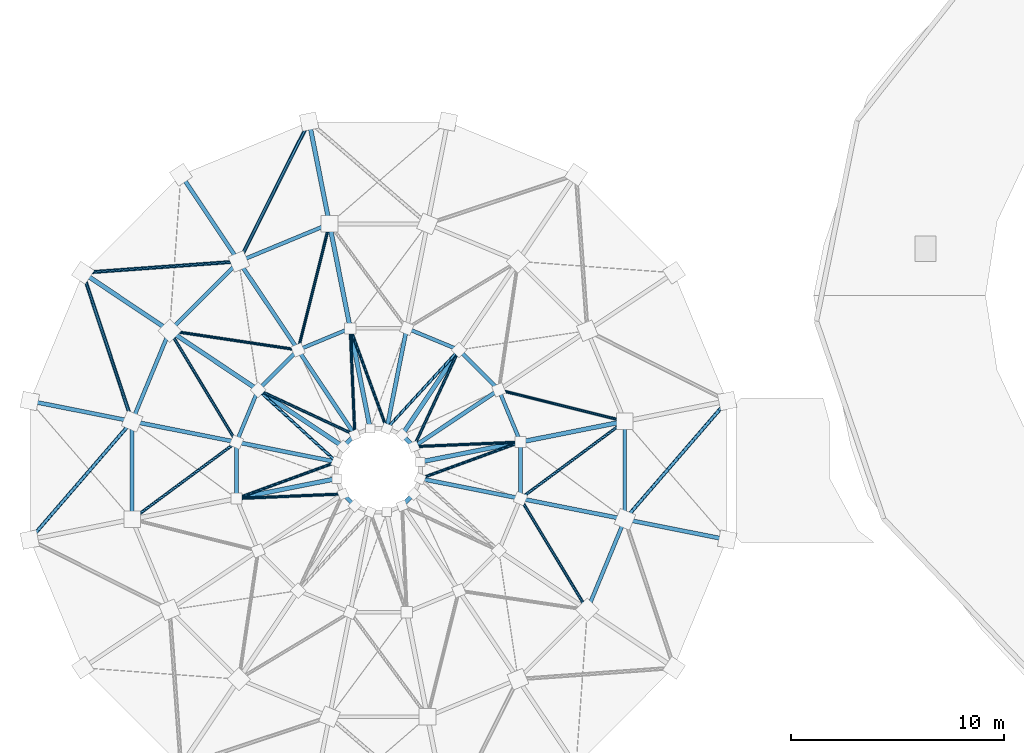
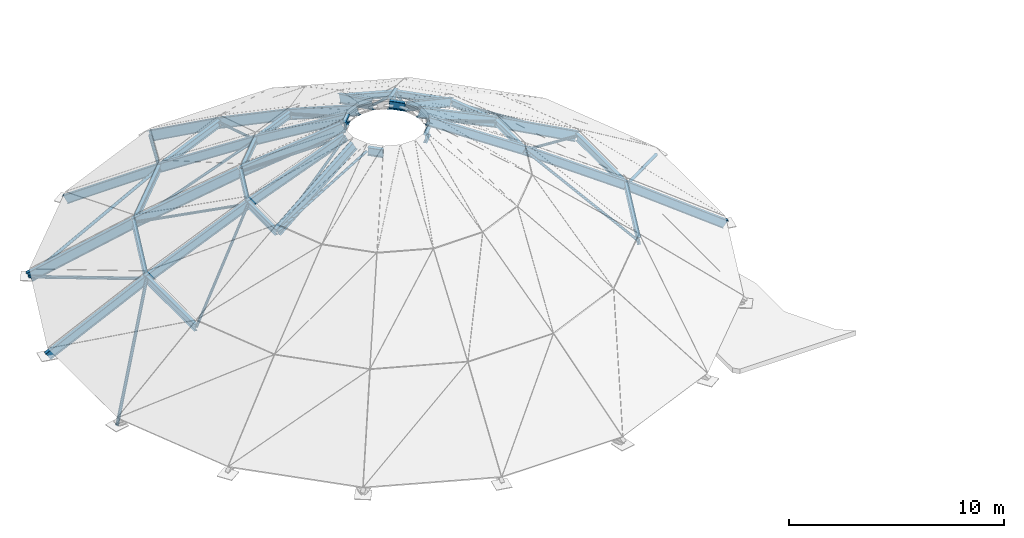
# One storey, part 2 of 11: 43 members, 18 beams.
"""IFC4 building model written with IfcOpenShell, lengths in metres."""

from ifc_helpers import new_model, si_unit, direction, frame, origin, origin_2d, place, context, subcontext, project, spatial, hollow_circle, i_section, extrude, material, material_profile, profile_set, type_object, element, save


model = new_model("IFC4")

# Units and contexts
model_context = context("Model", 3, precision=1e-05, world=origin(), true_north=direction((0.0, 1.0)))
body_context = subcontext(model_context, "Body", "Model", "MODEL_VIEW")
ifc_project = project(units=[si_unit("LENGTHUNIT", "METRE"), si_unit("AREAUNIT", "SQUARE_METRE"), si_unit("VOLUMEUNIT", "CUBIC_METRE"), si_unit("PLANEANGLEUNIT", "RADIAN"), si_unit("MASSUNIT", "GRAM", prefix="KILO"), si_unit("THERMODYNAMICTEMPERATUREUNIT", "KELVIN"), si_unit("POWERUNIT", "WATT")], contexts=[model_context])

# Site, building, storey
site_placement = place(None, origin())
site = spatial("IfcSite", under=ifc_project, at=site_placement, CompositionType="ELEMENT")
building_placement = place(site_placement, origin())
building = spatial("IfcBuilding", under=site, at=building_placement, Name="Darbajah Civic Hall", CompositionType="ELEMENT")
storey_placement = place(building_placement, frame((0.0, 0.0, 30.60009765625)))
storey = spatial("IfcBuildingStorey", under=building, at=storey_placement, Name="ROOF", CompositionType="ELEMENT", Elevation=30.60009765625)

# Members
ifc_material = material(Name="Steel S355JR", Category="steel")
ifc_material_profile_1 = material_profile(ifc_material, hollow_circle(Radius=0.06982421875, WallThickness=0.00634765625, at=origin_2d()), Name="CHS 139.7x6.3")
ifc_profile_set_1 = profile_set([ifc_material_profile_1], Name="Steel S355JR")
member_type_1 = type_object("IfcMemberType", Name="CHS 139.7x6.3", PredefinedType="BRACE", material=ifc_profile_set_1)
member_1_placement = place(storey_placement, frame((28.347412109375, 83.90869140625, -9.2744140625), z_axis=(-0.863420551372, 0.215235406452, 0.456266009338), x_axis=(-0.241880087393, -0.970306149276, 0.0)))
element("IfcMember", 1, at=member_1_placement, inside=storey, type_object=member_type_1, Name="Council Chamber dome diagonal brace bay 1", PredefinedType="BRACE", context=body_context, shape_type="SweptSolid", body=[
    extrude(hollow_circle(Radius=0.06982421875, WallThickness=0.00634765625, at=origin_2d()), origin(), (0.0, 0.0, 1.0), 6.795654296875),
])
member_2_placement = place(storey_placement, frame((14.491455078125, 93.1474609375, -9.2744140625), z_axis=(-0.21526299086, -0.863423017747, 0.456248328426), x_axis=(0.970299035655, -0.241908622021, 0.0)))
element("IfcMember", 2, at=member_2_placement, inside=storey, type_object=member_type_1, Name="Council Chamber dome diagonal brace bay 3", PredefinedType="BRACE", context=body_context, shape_type="SweptSolid", body=[
    extrude(hollow_circle(Radius=0.06982421875, WallThickness=0.00634765625, at=origin_2d()), origin(), (0.0, 0.0, 1.0), 6.7958984375),
])
member_3_placement = place(storey_placement, frame((7.01513671875, 88.15185546875, -9.2744140625), z_axis=(0.880061833458, -0.131563783235, 0.456269810782), x_axis=(0.147850809579, 0.989009675436, 0.0)))
element("IfcMember", 3, at=member_3_placement, inside=storey, type_object=member_type_1, Name="Council Chamber dome diagonal brace bay 3", PredefinedType="BRACE", context=body_context, shape_type="SweptSolid", body=[
    extrude(hollow_circle(Radius=0.06982421875, WallThickness=0.00634765625, at=origin_2d()), origin(), (0.0, 0.0, 1.0), 6.79541015625),
])
member_4_placement = place(storey_placement, frame((7.00244140625, 88.1328125, -9.2744140625), z_axis=(0.458308126803, -0.76274514699, 0.456260344156), x_axis=(0.857165015736, 0.515041877714, 0.0)))
element("IfcMember", 4, at=member_4_placement, inside=storey, type_object=member_type_1, Name="Council Chamber dome diagonal brace bay 4", PredefinedType="BRACE", context=body_context, shape_type="SweptSolid", body=[
    extrude(hollow_circle(Radius=0.06982421875, WallThickness=0.00634765625, at=origin_2d()), origin(), (0.0, 0.0, 1.0), 6.795654296875),
])
member_5_placement = place(storey_placement, frame((5.248291015625, 79.313720703125, -9.2744140625), z_axis=(0.715299359287, 0.529307155217, 0.456268300499), x_axis=(-0.594832570063, 0.803849621255, 0.0)))
element("IfcMember", 5, at=member_5_placement, inside=storey, type_object=member_type_1, Name="Council Chamber dome diagonal brace bay 4", PredefinedType="BRACE", context=body_context, shape_type="SweptSolid", body=[
    extrude(hollow_circle(Radius=0.06982421875, WallThickness=0.00634765625, at=origin_2d()), origin(), (0.0, 0.0, 1.0), 6.79541015625),
])
for number, where, z_axis, x_axis, name in (
    (6, (26.59765625, 75.067138671875, -9.2744140625), (-0.458336505986, 0.76273258807, 0.456252831637), (-0.857147191766, -0.515071540321, 0.0), "Council Chamber dome diagonal brace bay 8"),
    (7, (28.351806640625, 83.88623046875, -9.2744140625), (-0.71531690327, -0.529293553105, 0.456256575337), (0.594813265371, -0.80386390598, 0.0), "Council Chamber dome diagonal brace bay 8"),
):
    element("IfcMember", number, at=place(storey_placement, frame(where, z_axis=z_axis, x_axis=x_axis)), inside=storey, type_object=member_type_1, Name=name, PredefinedType="BRACE", context=body_context, shape_type="SweptSolid", body=[
        extrude(hollow_circle(Radius=0.06982421875, WallThickness=0.00634765625, at=origin_2d()), origin(), (0.0, 0.0, 1.0), 6.795654296875),
    ])
for number, where, z_axis, x_axis, name in (
    (8, (23.443115234375, 82.925537109375, -6.1455078125), (-0.875120183389, -0.03769429995, 0.48243528517), (0.043033382137, -0.999073634935, 0.0), "Council Chamber dome diagonal brace bay 1"),
    (9, (20.56689453125, 87.230224609375, -6.1455078125), (-0.369687375159, -0.79410331764, 0.482422186016), (0.906573941199, -0.422047022427, 0.0), "Council Chamber dome diagonal brace bay 1"),
):
    element("IfcMember", number, at=place(storey_placement, frame(where, z_axis=z_axis, x_axis=x_axis)), inside=storey, type_object=member_type_1, Name=name, PredefinedType="BRACE", context=body_context, shape_type="SweptSolid", body=[
        extrude(hollow_circle(Radius=0.06982421875, WallThickness=0.00634765625, at=origin_2d()), origin(), (0.0, 0.0, 1.0), 5.660888671875),
    ])
member_6_placement = place(storey_placement, frame((20.56005859375, 87.234619140625, -6.1455078125), z_axis=(-0.592167618552, -0.645432513593, 0.482446247715), x_axis=(0.736857707845, -0.676047866937, 0.0)))
element("IfcMember", 10, at=member_6_placement, inside=storey, type_object=member_type_1, Name="Council Chamber dome diagonal brace bay 2", PredefinedType="BRACE", context=body_context, shape_type="SweptSolid", body=[
    extrude(hollow_circle(Radius=0.06982421875, WallThickness=0.00634765625, at=origin_2d()), origin(), (0.0, 0.0, 1.0), 5.66064453125),
])
member_7_placement = place(storey_placement, frame((15.482421875, 88.24462890625, -6.1455078125), z_axis=(0.300085304818, -0.822927235016, 0.482430902515), x_axis=(0.939485403193, 0.342588933254, 0.0)))
element("IfcMember", 11, at=member_7_placement, inside=storey, type_object=member_type_1, Name="Council Chamber dome diagonal brace bay 2", PredefinedType="BRACE", context=body_context, shape_type="SweptSolid", body=[
    extrude(hollow_circle(Radius=0.06982421875, WallThickness=0.00634765625, at=origin_2d()), origin(), (0.0, 0.0, 1.0), 5.660888671875),
])
for number, where, z_axis, x_axis, name in (
    (12, (15.474609375, 88.242919921875, -6.1455078125), (0.037652653741, -0.87511150561, 0.482454278056), (0.999075659634, 0.042986350461, 0.0), "Council Chamber dome diagonal brace bay 3"),
    (13, (11.169921875, 85.36669921875, -6.1455078125), (0.794087385593, -0.369700036352, 0.482438708193), (0.422065861522, 0.906565170596, 0.0), "Council Chamber dome diagonal brace bay 3"),
):
    element("IfcMember", number, at=place(storey_placement, frame(where, z_axis=z_axis, x_axis=x_axis)), inside=storey, type_object=member_type_1, Name=name, PredefinedType="BRACE", context=body_context, shape_type="SweptSolid", body=[
        extrude(hollow_circle(Radius=0.06982421875, WallThickness=0.00634765625, at=origin_2d()), origin(), (0.0, 0.0, 1.0), 5.66064453125),
    ])
member_8_placement = place(storey_placement, frame((11.165283203125, 85.360107421875, -6.1455078125), z_axis=(0.645457675003, -0.592151134424, 0.482432817893), x_axis=(0.676023339122, 0.736880210728, 0.0)))
element("IfcMember", 14, at=member_8_placement, inside=storey, type_object=member_type_1, Name="Council Chamber dome diagonal brace bay 4", PredefinedType="BRACE", context=body_context, shape_type="SweptSolid", body=[
    extrude(hollow_circle(Radius=0.06982421875, WallThickness=0.00634765625, at=origin_2d()), origin(), (0.0, 0.0, 1.0), 5.660888671875),
])
member_9_placement = place(storey_placement, frame((10.155517578125, 80.282470703125, -6.1455078125), z_axis=(0.822913312923, 0.30009595552, 0.482448025071), x_axis=(-0.342604781128, 0.93947962402, 0.0)))
element("IfcMember", 15, at=member_9_placement, inside=storey, type_object=member_type_1, Name="Council Chamber dome diagonal brace bay 4", PredefinedType="BRACE", context=body_context, shape_type="SweptSolid", body=[
    extrude(hollow_circle(Radius=0.06982421875, WallThickness=0.00634765625, at=origin_2d()), origin(), (0.0, 0.0, 1.0), 5.66064453125),
])
member_10_placement = place(storey_placement, frame((10.156982421875, 80.2744140625, -6.1455078125), z_axis=(0.875120183389, 0.03769429995, 0.48243528517), x_axis=(-0.043033382137, 0.999073634935, 0.0)))
element("IfcMember", 16, at=member_10_placement, inside=storey, type_object=member_type_1, Name="Council Chamber dome diagonal brace bay 5", PredefinedType="BRACE", context=body_context, shape_type="SweptSolid", body=[
    extrude(hollow_circle(Radius=0.06982421875, WallThickness=0.00634765625, at=origin_2d()), origin(), (0.0, 0.0, 1.0), 5.660888671875),
])
member_11_placement = place(storey_placement, frame((23.444580078125, 82.91748046875, -6.1455078125), z_axis=(-0.822913312923, -0.30009595552, 0.482448025071), x_axis=(0.342604781128, -0.93947962402, 0.0)))
element("IfcMember", 17, at=member_11_placement, inside=storey, type_object=member_type_1, Name="Council Chamber dome diagonal brace bay 8", PredefinedType="BRACE", context=body_context, shape_type="SweptSolid", body=[
    extrude(hollow_circle(Radius=0.06982421875, WallThickness=0.00634765625, at=origin_2d()), origin(), (0.0, 0.0, 1.0), 5.66064453125),
])
ifc_material_profile_2 = material_profile(ifc_material, hollow_circle(Radius=0.084228515625, WallThickness=0.008056640625, at=origin_2d()), Name="CHS 168.3x8.0")
ifc_profile_set_2 = profile_set([ifc_material_profile_2], Name="Steel S355JR")
member_type_2 = type_object("IfcMemberType", Name="CHS 168.3x8.0", PredefinedType="BRACE", material=ifc_profile_set_2)
member_12_placement = place(storey_placement, frame((13.529541015625, 97.95556640625, -12.587890625), z_axis=(-0.409029295332, -0.814793923008, 0.410859950093), x_axis=(0.893709871439, -0.448645367403, 0.0)))
element("IfcMember", 18, at=member_12_placement, inside=storey, type_object=member_type_2, Name="Council Chamber dome diagonal brace bay 3", PredefinedType="BRACE", context=body_context, shape_type="SweptSolid", body=[
    extrude(hollow_circle(Radius=0.084228515625, WallThickness=0.008056640625, at=origin_2d()), origin(), (0.0, 0.0, 1.0), 8.001708984375),
])
member_13_placement = place(storey_placement, frame((2.94091796875, 90.880615234375, -12.587890625), z_axis=(0.909304806528, 0.066055259743, 0.41085456245), x_axis=(-0.072452774638, 0.997371844122, 0.0)))
element("IfcMember", 19, at=member_13_placement, inside=storey, type_object=member_type_2, Name="Council Chamber dome diagonal brace bay 3", PredefinedType="BRACE", context=body_context, shape_type="SweptSolid", body=[
    extrude(hollow_circle(Radius=0.084228515625, WallThickness=0.008056640625, at=origin_2d()), origin(), (0.0, 0.0, 1.0), 8.001953125),
])
for number, where, z_axis, x_axis, name in (
    (20, (2.92236328125, 90.8525390625, -12.587890625), (0.286894336634, -0.865381694135, 0.410860271946), (0.949197415217, 0.314681214797, 0.0), "Council Chamber dome diagonal brace bay 4"),
    (21, (0.43798828125, 78.362548828125, -12.587890625), (0.596225165949, 0.689712393239, 0.410867820719), (-0.756516654102, 0.653974427685, 0.0), "Council Chamber dome diagonal brace bay 4"),
    (22, (33.162109375, 84.83740234375, -12.587890625), (-0.596244830547, -0.689699846203, 0.410860346338), (0.75650009678, -0.65399358068, 0.0), "Council Chamber dome diagonal brace bay 8"),
):
    element("IfcMember", number, at=place(storey_placement, frame(where, z_axis=z_axis, x_axis=x_axis)), inside=storey, type_object=member_type_2, Name=name, PredefinedType="BRACE", context=body_context, shape_type="SweptSolid", body=[
        extrude(hollow_circle(Radius=0.084228515625, WallThickness=0.008056640625, at=origin_2d()), origin(), (0.0, 0.0, 1.0), 8.001708984375),
    ])
ifc_material_profile_3 = material_profile(ifc_material, i_section(OverallWidth=0.1904296875, OverallDepth=0.45703125, WebThickness=0.009033203125, FlangeThickness=0.014404296875, FilletRadius=0.01025390625, at=origin_2d()), Name="UB 457x191x74")
ifc_profile_set_3 = profile_set([ifc_material_profile_3], Name="Steel S355JR")
member_type_3 = type_object("IfcMemberType", Name="Roof Rafter UB 457x191x74", PredefinedType="RAFTER", material=ifc_profile_set_3)
member_14_placement = place(storey_placement, frame((22.439697265625, 85.368408203125, -6.150146484375), z_axis=(-0.720811935985, -0.481651598629, 0.498439455179), x_axis=(0.555586549876, -0.831458709496, 0.0)))
element("IfcMember", 23, at=member_14_placement, inside=storey, type_object=member_type_3, Name="Council Chamber dome meridian rib 2.3", PredefinedType="RAFTER", context=body_context, shape_type="SweptSolid", body=[
    extrude(i_section(OverallWidth=0.1904296875, OverallDepth=0.45703125, WebThickness=0.009033203125, FlangeThickness=0.014404296875, FilletRadius=0.01025390625, at=origin_2d()), origin(), (0.0, 0.0, 1.0), 5.4970703125),
])
member_15_placement = place(storey_placement, frame((18.123291015625, 88.252197265625, -6.150146484375), z_axis=(-0.169134056058, -0.850245072249, 0.49847466154), x_axis=(0.980783118211, -0.195101191775, 0.0)))
element("IfcMember", 24, at=member_15_placement, inside=storey, type_object=member_type_3, Name="Council Chamber dome meridian rib 4.3", PredefinedType="RAFTER", context=body_context, shape_type="SweptSolid", body=[
    extrude(i_section(OverallWidth=0.1904296875, OverallDepth=0.45703125, WebThickness=0.009033203125, FlangeThickness=0.014404296875, FilletRadius=0.01025390625, at=origin_2d()), origin(), (0.0, 0.0, 1.0), 5.496826171875),
])
member_16_placement = place(storey_placement, frame((7.53076171875, 95.472412109375, -12.5888671875), z_axis=(0.460313131635, -0.688911356526, 0.559922283619), x_axis=(0.831471128905, 0.555567963257, 0.0)))
element("IfcMember", 25, at=member_16_placement, inside=storey, type_object=member_type_3, Name="Council Chamber dome meridian rib 6.1", PredefinedType="RAFTER", context=body_context, shape_type="SweptSolid", body=[
    extrude(i_section(OverallWidth=0.1904296875, OverallDepth=0.45703125, WebThickness=0.009033203125, FlangeThickness=0.014404296875, FilletRadius=0.01025390625, at=origin_2d()), origin(), (0.0, 0.0, 1.0), 5.875),
])
member_17_placement = place(storey_placement, frame((10.253662109375, 91.397216796875, -9.277587890625), z_axis=(0.470992253234, -0.704883813729, 0.530382038285), x_axis=(0.831467461766, 0.555573451512, 0.0)))
element("IfcMember", 26, at=member_17_placement, inside=storey, type_object=member_type_3, Name="Council Chamber dome meridian rib 6.2", PredefinedType="RAFTER", context=body_context, shape_type="SweptSolid", body=[
    extrude(i_section(OverallWidth=0.1904296875, OverallDepth=0.45703125, WebThickness=0.009033203125, FlangeThickness=0.014404296875, FilletRadius=0.01025390625, at=origin_2d()), origin(), (0.0, 0.0, 1.0), 5.85791015625),
])
member_18_placement = place(storey_placement, frame((13.03173828125, 87.239501953125, -6.150146484375), z_axis=(0.481632907265, -0.720806017336, 0.498466075086), x_axis=(0.831466561998, 0.555574798096, 0.0)))
element("IfcMember", 27, at=member_18_placement, inside=storey, type_object=member_type_3, Name="Council Chamber dome meridian rib 6.3", PredefinedType="RAFTER", context=body_context, shape_type="SweptSolid", body=[
    extrude(i_section(OverallWidth=0.1904296875, OverallDepth=0.45703125, WebThickness=0.009033203125, FlangeThickness=0.014404296875, FilletRadius=0.01025390625, at=origin_2d()), origin(), (0.0, 0.0, 1.0), 5.496826171875),
])
member_19_placement = place(storey_placement, frame((0.436279296875, 84.85498046875, -12.5888671875), z_axis=(0.81262276958, -0.161651883082, 0.559922229472), x_axis=(0.195103283617, 0.980782702091, 0.0)))
element("IfcMember", 28, at=member_19_placement, inside=storey, type_object=member_type_3, Name="Council Chamber dome meridian rib 8.1", PredefinedType="RAFTER", context=body_context, shape_type="SweptSolid", body=[
    extrude(i_section(OverallWidth=0.1904296875, OverallDepth=0.45703125, WebThickness=0.009033203125, FlangeThickness=0.014404296875, FilletRadius=0.01025390625, at=origin_2d()), origin(), (0.0, 0.0, 1.0), 5.875),
])
member_20_placement = place(storey_placement, frame((5.243408203125, 83.898681640625, -9.277587890625), z_axis=(0.831467566941, -0.165376606798, 0.530388784807), x_axis=(0.195076052864, 0.980788118606, 0.0)))
element("IfcMember", 29, at=member_20_placement, inside=storey, type_object=member_type_3, Name="Council Chamber dome meridian rib 8.2", PredefinedType="RAFTER", context=body_context, shape_type="SweptSolid", body=[
    extrude(i_section(OverallWidth=0.1904296875, OverallDepth=0.45703125, WebThickness=0.009033203125, FlangeThickness=0.014404296875, FilletRadius=0.01025390625, at=origin_2d()), origin(), (0.0, 0.0, 1.0), 5.85791015625),
])
member_21_placement = place(storey_placement, frame((10.147705078125, 82.923095703125, -6.150146484375), z_axis=(0.850251458665, -0.169090910679, 0.498478405715), x_axis=(0.195051906696, 0.980792920903, 0.0)))
element("IfcMember", 30, at=member_21_placement, inside=storey, type_object=member_type_3, Name="Council Chamber dome meridian rib 8.3", PredefinedType="RAFTER", context=body_context, shape_type="SweptSolid", body=[
    extrude(i_section(OverallWidth=0.1904296875, OverallDepth=0.45703125, WebThickness=0.009033203125, FlangeThickness=0.014404296875, FilletRadius=0.01025390625, at=origin_2d()), origin(), (0.0, 0.0, 1.0), 5.496826171875),
])
member_22_placement = place(storey_placement, frame((33.163818359375, 78.344970703125, -12.5888671875), z_axis=(-0.81262276958, 0.161651883082, 0.559922229472), x_axis=(-0.195103283617, -0.980782702091, 0.0)))
element("IfcMember", 31, at=member_22_placement, inside=storey, type_object=member_type_3, Name="Council Chamber dome meridian rib 16.1", PredefinedType="RAFTER", context=body_context, shape_type="SweptSolid", body=[
    extrude(i_section(OverallWidth=0.1904296875, OverallDepth=0.45703125, WebThickness=0.009033203125, FlangeThickness=0.014404296875, FilletRadius=0.01025390625, at=origin_2d()), origin(), (0.0, 0.0, 1.0), 5.875),
])
member_23_placement = place(storey_placement, frame((28.356689453125, 79.30126953125, -9.277587890625), z_axis=(-0.831480430542, 0.165370876066, 0.530370405447), x_axis=(-0.195066647168, -0.980789989326, 0.0)))
element("IfcMember", 32, at=member_23_placement, inside=storey, type_object=member_type_3, Name="Council Chamber dome meridian rib 16.2", PredefinedType="RAFTER", context=body_context, shape_type="SweptSolid", body=[
    extrude(i_section(OverallWidth=0.1904296875, OverallDepth=0.45703125, WebThickness=0.009033203125, FlangeThickness=0.014404296875, FilletRadius=0.01025390625, at=origin_2d()), origin(), (0.0, 0.0, 1.0), 5.858154296875),
])
member_24_placement = place(storey_placement, frame((23.452392578125, 80.27685546875, -6.150146484375), z_axis=(-0.85026376436, 0.169084525226, 0.498459581457), x_axis=(-0.195042105627, -0.980794870007, 0.0)))
element("IfcMember", 33, at=member_24_placement, inside=storey, type_object=member_type_3, Name="Council Chamber dome meridian rib 16.3", PredefinedType="RAFTER", context=body_context, shape_type="SweptSolid", body=[
    extrude(i_section(OverallWidth=0.1904296875, OverallDepth=0.45703125, WebThickness=0.009033203125, FlangeThickness=0.014404296875, FilletRadius=0.01025390625, at=origin_2d()), origin(), (0.0, 0.0, 1.0), 5.496826171875),
])
ifc_material_profile_4 = material_profile(ifc_material, i_section(OverallWidth=0.209228515625, OverallDepth=0.533203125, WebThickness=0.010009765625, FlangeThickness=0.015625, FilletRadius=0.0126953125, at=origin_2d()), Name="UB 533x210x92")
ifc_profile_set_4 = profile_set([ifc_material_profile_4], Name="Steel S355JR")
member_type_4 = type_object("IfcMemberType", Name="Roof Rafter UB 533x210x92", PredefinedType="RAFTER", material=ifc_profile_set_4)
member_25_placement = place(storey_placement, frame((28.356689453125, 83.898681640625, -9.277587890625), z_axis=(-0.831480430542, -0.165370876066, 0.530370405447), x_axis=(0.195066647168, -0.980789989326, 0.0)))
element("IfcMember", 34, at=member_25_placement, inside=storey, type_object=member_type_4, Name="Council Chamber dome meridian rib 1.2", PredefinedType="RAFTER", context=body_context, shape_type="SweptSolid", body=[
    extrude(i_section(OverallWidth=0.209228515625, OverallDepth=0.533203125, WebThickness=0.010009765625, FlangeThickness=0.015625, FilletRadius=0.0126953125, at=origin_2d()), origin(), (0.0, 0.0, 1.0), 5.858154296875),
])
member_26_placement = place(storey_placement, frame((23.452392578125, 82.923095703125, -6.150146484375), z_axis=(-0.85026376436, -0.169084525226, 0.498459581457), x_axis=(0.195042105627, -0.980794870007, 0.0)))
element("IfcMember", 35, at=member_26_placement, inside=storey, type_object=member_type_4, Name="Council Chamber dome meridian rib 1.3", PredefinedType="RAFTER", context=body_context, shape_type="SweptSolid", body=[
    extrude(i_section(OverallWidth=0.209228515625, OverallDepth=0.533203125, WebThickness=0.010009765625, FlangeThickness=0.015625, FilletRadius=0.0126953125, at=origin_2d()), origin(), (0.0, 0.0, 1.0), 5.496826171875),
])
member_27_placement = place(storey_placement, frame((20.568359375, 87.239501953125, -6.150146484375), z_axis=(-0.481667017974, -0.720790597943, 0.498455411961), x_axis=(0.831442895073, -0.555610216099, 0.0)))
element("IfcMember", 36, at=member_27_placement, inside=storey, type_object=member_type_4, Name="Council Chamber dome meridian rib 3.3", PredefinedType="RAFTER", context=body_context, shape_type="SweptSolid", body=[
    extrude(i_section(OverallWidth=0.209228515625, OverallDepth=0.533203125, WebThickness=0.010009765625, FlangeThickness=0.015625, FilletRadius=0.0126953125, at=origin_2d()), origin(), (0.0, 0.0, 1.0), 5.4970703125),
])
member_28_placement = place(storey_placement, frame((13.544921875, 97.963623046875, -12.5888671875), z_axis=(0.161657342066, -0.812608654693, 0.559941138045), x_axis=(0.980780792783, 0.195112881453, 0.0)))
element("IfcMember", 37, at=member_28_placement, inside=storey, type_object=member_type_4, Name="Council Chamber dome meridian rib 5.1", PredefinedType="RAFTER", context=body_context, shape_type="SweptSolid", body=[
    extrude(i_section(OverallWidth=0.209228515625, OverallDepth=0.533203125, WebThickness=0.010009765625, FlangeThickness=0.015625, FilletRadius=0.0126953125, at=origin_2d()), origin(), (0.0, 0.0, 1.0), 5.874755859375),
])
member_29_placement = place(storey_placement, frame((14.501220703125, 93.15673828125, -9.277587890625), z_axis=(0.165411412036, -0.831474699301, 0.530366749702), x_axis=(0.980780583025, 0.195113935844, 0.0)))
element("IfcMember", 38, at=member_29_placement, inside=storey, type_object=member_type_4, Name="Council Chamber dome meridian rib 5.2", PredefinedType="RAFTER", context=body_context, shape_type="SweptSolid", body=[
    extrude(i_section(OverallWidth=0.209228515625, OverallDepth=0.533203125, WebThickness=0.010009765625, FlangeThickness=0.015625, FilletRadius=0.0126953125, at=origin_2d()), origin(), (0.0, 0.0, 1.0), 5.858154296875),
])
member_30_placement = place(storey_placement, frame((15.476806640625, 88.252197265625, -6.150146484375), z_axis=(0.169134056058, -0.850245072249, 0.49847466154), x_axis=(0.980783118211, 0.195101191775, 0.0)))
element("IfcMember", 39, at=member_30_placement, inside=storey, type_object=member_type_4, Name="Council Chamber dome meridian rib 5.3", PredefinedType="RAFTER", context=body_context, shape_type="SweptSolid", body=[
    extrude(i_section(OverallWidth=0.209228515625, OverallDepth=0.533203125, WebThickness=0.010009765625, FlangeThickness=0.015625, FilletRadius=0.0126953125, at=origin_2d()), origin(), (0.0, 0.0, 1.0), 5.496826171875),
])
member_31_placement = place(storey_placement, frame((2.927490234375, 90.869384765625, -12.5888671875), z_axis=(0.688898178358, -0.460345881279, 0.559911572879), x_axis=(0.555602636242, 0.831447960248, 0.0)))
element("IfcMember", 40, at=member_31_placement, inside=storey, type_object=member_type_4, Name="Council Chamber dome meridian rib 7.1", PredefinedType="RAFTER", context=body_context, shape_type="SweptSolid", body=[
    extrude(i_section(OverallWidth=0.209228515625, OverallDepth=0.533203125, WebThickness=0.010009765625, FlangeThickness=0.015625, FilletRadius=0.0126953125, at=origin_2d()), origin(), (0.0, 0.0, 1.0), 5.875244140625),
])
member_32_placement = place(storey_placement, frame((7.002685546875, 88.146240234375, -9.277587890625), z_axis=(0.704883813729, -0.470992253234, 0.530382038285), x_axis=(0.555573451512, 0.831467461766, 0.0)))
element("IfcMember", 41, at=member_32_placement, inside=storey, type_object=member_type_4, Name="Council Chamber dome meridian rib 7.2", PredefinedType="RAFTER", context=body_context, shape_type="SweptSolid", body=[
    extrude(i_section(OverallWidth=0.209228515625, OverallDepth=0.533203125, WebThickness=0.010009765625, FlangeThickness=0.015625, FilletRadius=0.0126953125, at=origin_2d()), origin(), (0.0, 0.0, 1.0), 5.85791015625),
])
member_33_placement = place(storey_placement, frame((11.160400390625, 85.368408203125, -6.150146484375), z_axis=(0.720811935985, -0.481651598629, 0.498439455179), x_axis=(0.555586549876, 0.831458709496, 0.0)))
element("IfcMember", 42, at=member_33_placement, inside=storey, type_object=member_type_4, Name="Council Chamber dome meridian rib 7.3", PredefinedType="RAFTER", context=body_context, shape_type="SweptSolid", body=[
    extrude(i_section(OverallWidth=0.209228515625, OverallDepth=0.533203125, WebThickness=0.010009765625, FlangeThickness=0.015625, FilletRadius=0.0126953125, at=origin_2d()), origin(), (0.0, 0.0, 1.0), 5.4970703125),
])
member_34_placement = place(storey_placement, frame((10.147705078125, 80.27685546875, -6.150146484375), z_axis=(0.850251458665, 0.169090910679, 0.498478405715), x_axis=(-0.195051906696, 0.980792920903, 0.0)))
element("IfcMember", 43, at=member_34_placement, inside=storey, type_object=member_type_4, Name="Council Chamber dome meridian rib 9.3", PredefinedType="RAFTER", context=body_context, shape_type="SweptSolid", body=[
    extrude(i_section(OverallWidth=0.209228515625, OverallDepth=0.533203125, WebThickness=0.010009765625, FlangeThickness=0.015625, FilletRadius=0.0126953125, at=origin_2d()), origin(), (0.0, 0.0, 1.0), 5.496826171875),
])

# Beams
ifc_material_profile_5 = material_profile(ifc_material, i_section(OverallWidth=0.172119140625, OverallDepth=0.35791015625, WebThickness=0.008056640625, FlangeThickness=0.012939453125, FilletRadius=0.01025390625, at=origin_2d()), Name="UB 356x171x57")
ifc_profile_set_5 = profile_set([ifc_material_profile_5], Name="Steel S355JR")
beam_type_1 = type_object("IfcBeamType", Name="UB 356x171x57", PredefinedType="BEAM", material=ifc_profile_set_5)
for number, where, z_axis, x_axis, name in (
    (44, (23.461669921875, 82.945068359375, -6.16015625), (-0.382670839347, 0.92388474861, 0.0), (-0.92388474861, -0.382670839347, 0.0), "Dome Hoop Ring 2 segment 1"),
    (45, (22.43994140625, 85.39208984375, -6.16015625), (-0.707106781187, 0.707106781187, 0.0), (-0.707106781187, -0.707106781187, 0.0), "Dome Hoop Ring 2 segment 2"),
    (46, (20.559326171875, 87.26171875, -6.16015625), (-0.92388474861, 0.382670839347, 0.0), (-0.382670839347, -0.92388474861, 0.0), "Dome Hoop Ring 2 segment 3"),
    (47, (15.454833984375, 88.26171875, -6.16015625), (-0.92388474861, -0.382670839347, 0.0), (0.382670839347, -0.92388474861, 0.0), "Dome Hoop Ring 2 segment 5"),
    (48, (13.008056640625, 87.239990234375, -6.16015625), (-0.707106781187, -0.707106781187, 0.0), (0.707106781187, -0.707106781187, 0.0), "Dome Hoop Ring 2 segment 6"),
):
    element("IfcBeam", number, at=place(storey_placement, frame(where, z_axis=z_axis, x_axis=x_axis)), inside=storey, type_object=beam_type_1, Name=name, PredefinedType="BEAM", context=body_context, shape_type="SweptSolid", body=[
        extrude(i_section(OverallWidth=0.172119140625, OverallDepth=0.35791015625, WebThickness=0.008056640625, FlangeThickness=0.012939453125, FilletRadius=0.01025390625, at=origin_2d()), origin(), (0.0, 0.0, 1.0), 2.61328125),
    ])
for number, where, z_axis, x_axis, name in (
    (49, (11.13818359375, 85.359375, -6.16015625), (-0.38259109052, -0.92391777635, 0.0), (0.92391777635, -0.38259109052, 0.0), "Dome Hoop Ring 2 segment 7"),
    (50, (10.130615234375, 82.906494140625, -6.16015625), (0.0, -1.0, 0.0), (1.0, 0.0, 0.0), "Dome Hoop Ring 2 segment 8"),
    (51, (23.46923828125, 80.29345703125, -6.16015625), (0.0, 1.0, 0.0), (-1.0, 0.0, 0.0), "Dome Hoop Ring 2 segment 16"),
):
    element("IfcBeam", number, at=place(storey_placement, frame(where, z_axis=z_axis, x_axis=x_axis)), inside=storey, type_object=beam_type_1, Name=name, PredefinedType="BEAM", context=body_context, shape_type="SweptSolid", body=[
        extrude(i_section(OverallWidth=0.172119140625, OverallDepth=0.35791015625, WebThickness=0.008056640625, FlangeThickness=0.012939453125, FilletRadius=0.01025390625, at=origin_2d()), origin(), (0.0, 0.0, 1.0), 2.613037109375),
    ])
ifc_material_profile_6 = material_profile(ifc_material, i_section(OverallWidth=0.177978515625, OverallDepth=0.406494140625, WebThickness=0.0078125, FlangeThickness=0.0126953125, FilletRadius=0.01025390625, at=origin_2d()), Name="UB 406x178x60")
ifc_profile_set_6 = profile_set([ifc_material_profile_6], Name="Steel S355JR")
beam_type_2 = type_object("IfcBeamType", Name="UB 406x178x60", PredefinedType="BEAM", material=ifc_profile_set_6)
for number, where, z_axis, x_axis, name in (
    (52, (14.4794921875, 93.16552734375, -9.2880859375), (-0.923885142552, -0.382669888248, 0.0), (0.382669888248, -0.923885142552, 0.0), "Dome Hoop Ring 1 segment 5"),
    (53, (10.230224609375, 91.397216796875, -9.2880859375), (-0.707133525519, -0.707080035842, 0.0), (0.707080035842, -0.707133525519, 0.0), "Dome Hoop Ring 1 segment 6"),
):
    element("IfcBeam", number, at=place(storey_placement, frame(where, z_axis=z_axis, x_axis=x_axis)), inside=storey, type_object=beam_type_2, Name=name, PredefinedType="BEAM", context=body_context, shape_type="SweptSolid", body=[
        extrude(i_section(OverallWidth=0.177978515625, OverallDepth=0.406494140625, WebThickness=0.0078125, FlangeThickness=0.0126953125, FilletRadius=0.01025390625, at=origin_2d()), origin(), (0.0, 0.0, 1.0), 4.564208984375),
    ])
beam_1_placement = place(storey_placement, frame((6.98095703125, 88.13720703125, -9.2880859375), z_axis=(-0.382688800239, -0.923877309047, 0.0), x_axis=(0.923877309047, -0.382688800239, 0.0)))
element("IfcBeam", 54, at=beam_1_placement, inside=storey, type_object=beam_type_2, Name="Dome Hoop Ring 1 segment 7", PredefinedType="BEAM", context=body_context, shape_type="SweptSolid", body=[
    extrude(i_section(OverallWidth=0.177978515625, OverallDepth=0.406494140625, WebThickness=0.0078125, FlangeThickness=0.0126953125, FilletRadius=0.01025390625, at=origin_2d()), origin(), (0.0, 0.0, 1.0), 4.56396484375),
])
beam_2_placement = place(storey_placement, frame((5.226806640625, 83.882080078125, -9.2880859375), z_axis=(0.0, -1.0, 0.0), x_axis=(1.0, 0.0, 0.0)))
element("IfcBeam", 55, at=beam_2_placement, inside=storey, type_object=beam_type_2, Name="Dome Hoop Ring 1 segment 8", PredefinedType="BEAM", context=body_context, shape_type="SweptSolid", body=[
    extrude(i_section(OverallWidth=0.177978515625, OverallDepth=0.406494140625, WebThickness=0.0078125, FlangeThickness=0.0126953125, FilletRadius=0.01025390625, at=origin_2d()), origin(), (0.0, 0.0, 1.0), 4.564208984375),
])
beam_3_placement = place(storey_placement, frame((26.618896484375, 75.062744140625, -9.2880859375), z_axis=(0.382688800239, 0.923877309047, 0.0), x_axis=(-0.923877309047, 0.382688800239, 0.0)))
element("IfcBeam", 56, at=beam_3_placement, inside=storey, type_object=beam_type_2, Name="Dome Hoop Ring 1 segment 15", PredefinedType="BEAM", context=body_context, shape_type="SweptSolid", body=[
    extrude(i_section(OverallWidth=0.177978515625, OverallDepth=0.406494140625, WebThickness=0.0078125, FlangeThickness=0.0126953125, FilletRadius=0.01025390625, at=origin_2d()), origin(), (0.0, 0.0, 1.0), 4.56396484375),
])
beam_4_placement = place(storey_placement, frame((28.373291015625, 79.31787109375, -9.2880859375), z_axis=(0.0, 1.0, 0.0), x_axis=(-1.0, 0.0, 0.0)))
element("IfcBeam", 57, at=beam_4_placement, inside=storey, type_object=beam_type_2, Name="Dome Hoop Ring 1 segment 16", PredefinedType="BEAM", context=body_context, shape_type="SweptSolid", body=[
    extrude(i_section(OverallWidth=0.177978515625, OverallDepth=0.406494140625, WebThickness=0.0078125, FlangeThickness=0.0126953125, FilletRadius=0.01025390625, at=origin_2d()), origin(), (0.0, 0.0, 1.0), 4.564208984375),
])
ifc_material_profile_7 = material_profile(ifc_material, i_section(OverallWidth=0.1904296875, OverallDepth=0.45703125, WebThickness=0.009033203125, FlangeThickness=0.014404296875, FilletRadius=0.01025390625, at=origin_2d()), Name="UB 457x191x74")
ifc_profile_set_7 = profile_set([ifc_material_profile_7], Name="Steel S355JR")
beam_type_3 = type_object("IfcBeamType", Name="UB 457x191x74", PredefinedType="BEAM", material=ifc_profile_set_7)
for number, where, z_axis, x_axis, name in (
    (58, (18.44873046875, 82.72509765625, -3.400146484375), (-0.706941896786, 0.707271627148, 0.0), (-0.707271627148, -0.706941896786, 0.0), "Dome Crown Compression Ring segment 2"),
    (59, (15.6748046875, 83.248779296875, -3.400146484375), (-0.707106781187, -0.707106781187, 0.0), (0.707106781187, -0.707106781187, 0.0), "Dome Crown Compression Ring segment 6"),
    (60, (15.151123046875, 80.474853515625, -3.400146484375), (0.707106781187, -0.707106781187, 0.0), (0.707106781187, 0.707106781187, 0.0), "Dome Crown Compression Ring segment 10"),
    (61, (17.92529296875, 79.951171875, -3.400146484375), (0.706941896786, 0.707271627148, 0.0), (-0.707271627148, 0.706941896786, 0.0), "Dome Crown Compression Ring segment 14"),
):
    element("IfcBeam", number, at=place(storey_placement, frame(where, z_axis=z_axis, x_axis=x_axis)), inside=storey, type_object=beam_type_3, Name=name, PredefinedType="BEAM", context=body_context, shape_type="SweptSolid", body=[
        extrude(i_section(OverallWidth=0.1904296875, OverallDepth=0.45703125, WebThickness=0.009033203125, FlangeThickness=0.014404296875, FilletRadius=0.01025390625, at=origin_2d()), origin(), (0.0, 0.0, 1.0), 0.740478515625),
    ])

save(model, "model.ifc")
